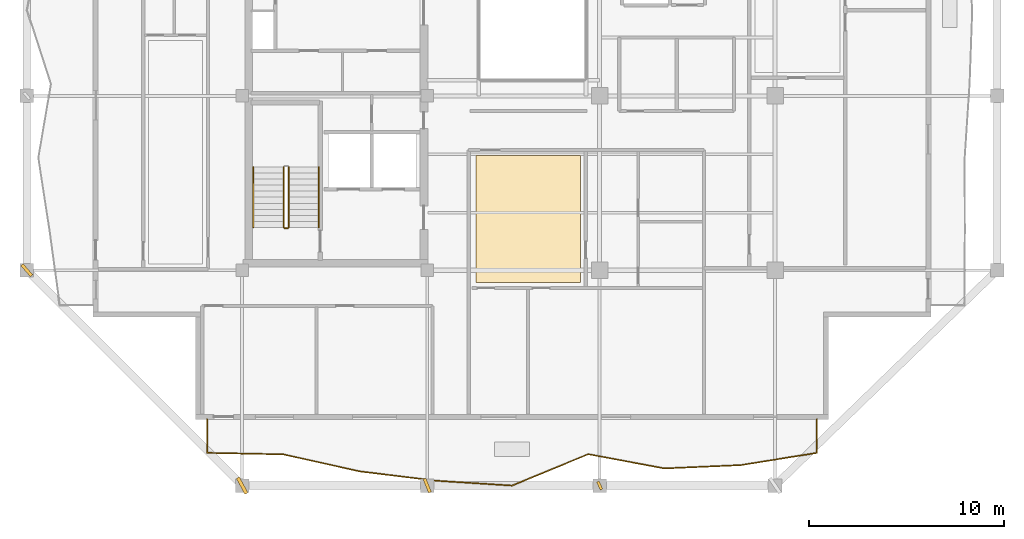
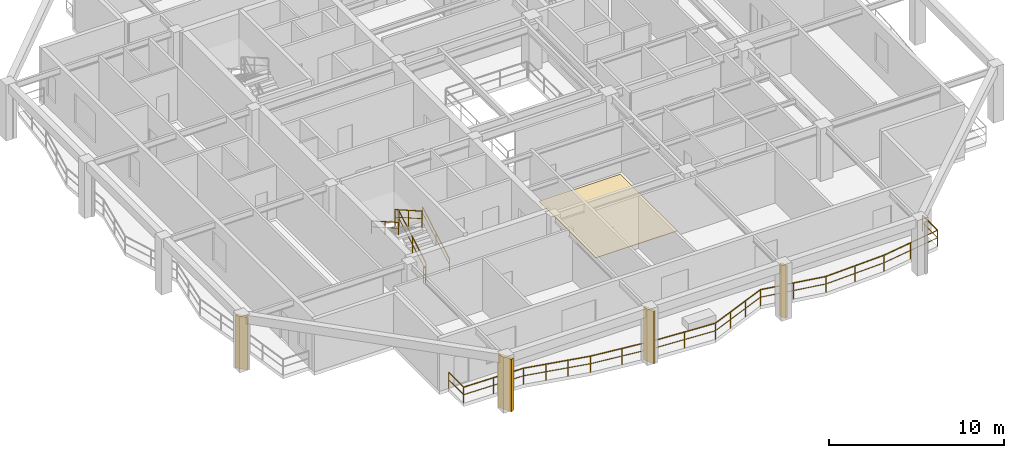
# One storey, part 7 of 11: 6 railings, 4 shading devices, 1 covering.
"""IFC4 building model written with IfcOpenShell, lengths in metres."""

from ifc_helpers import new_model, si_unit, direction, frame, origin, origin_2d, place, context, subcontext, project, spatial, polyline, rectangle, outline, extrude, material, layer, layer_set, type_object, element, save


model = new_model("IFC4")

# Units and contexts
model_context = context("Model", 3, precision=1e-05, world=origin(), true_north=direction((0.0, 1.0)))
body_context = subcontext(model_context, "Body", "Model", "MODEL_VIEW")
ifc_project = project(units=[si_unit("LENGTHUNIT", "METRE"), si_unit("AREAUNIT", "SQUARE_METRE"), si_unit("VOLUMEUNIT", "CUBIC_METRE"), si_unit("PLANEANGLEUNIT", "RADIAN"), si_unit("MASSUNIT", "GRAM", prefix="KILO")], contexts=[model_context])

# Site, building, storey
site_placement = place(None, origin())
site = spatial("IfcSite", under=ifc_project, at=site_placement, CompositionType="ELEMENT")
building_placement = place(site_placement, origin())
building = spatial("IfcBuilding", under=site, at=building_placement, Name="Kundavana Baori Tower", CompositionType="ELEMENT")
storey_placement = place(building_placement, frame((0.0, 0.0, 249.199951171875)))
storey = spatial("IfcBuildingStorey", under=building, at=storey_placement, Name="L61", CompositionType="ELEMENT", Elevation=249.199951171875)

# Covering
ifc_material_1 = material(Name="Honed Kota Stone and Terrazzo Flooring", Category="masonry")
ifc_layer = layer(ifc_material_1, 0.0400390625, Name="COV-FLR-TERR-40")
ifc_layer_set = layer_set([ifc_layer], Name="Honed Kota Stone and Terrazzo Flooring")
covering_type = type_object("IfcCoveringType", Name="COV-FLR-TERR-40", PredefinedType="FLOORING", material=ifc_layer_set)
covering_placement = place(storey_placement, origin())
element("IfcCovering", 1, at=covering_placement, inside=storey, type_object=covering_type, Name="L61 Room Finished Stone Flooring 3", PredefinedType="FLOORING", context=body_context, shape_type="SweptSolid", body=[
    extrude(outline(polyline([(27.43994140625, 14.6201171875), (32.81005859375, 14.6201171875), (32.81005859375, 21.139892578125), (27.43994140625, 21.139892578125), (27.43994140625, 14.6201171875)])), origin(), (0.0, 0.0, 1.0), 0.0400390625),
])

# Railings
ifc_material_2 = material(Name="Architectural Patinated Bronze Metalwork")
railing_type_1 = type_object("IfcRailingType", Name="RL-BAL-1150", PredefinedType="BALUSTRADE", material=ifc_material_2)
railing_1_placement = place(storey_placement, frame((44.949951171875, 7.60009765625, 0.0)))
element("IfcRailing", 2, at=railing_1_placement, inside=storey, type_object=railing_type_1, Name="L61 Loggia Balcony Balustrade S", PredefinedType="BALUSTRADE", context=body_context, shape_type="SweptSolid", body=[
    extrude(rectangle(XDim=0.048095703125, YDim=0.048095703125, at=origin_2d()), frame((0.0, 0.0, 1.1259765625), z_axis=(0.0, -1.0, 0.0), x_axis=(1.0, 0.0, 0.0)), (0.0, 0.0, 1.0), 1.72021484375),
    extrude(rectangle(XDim=0.03125, YDim=0.03125, at=origin_2d()), frame((0.0, 0.0, 0.597900390625), z_axis=(0.0, -1.0, 0.0), x_axis=(1.0, 0.0, 0.0)), (0.0, 0.0, 1.0), 1.72021484375),
    extrude(rectangle(XDim=0.048095703125, YDim=0.048095703125, at=origin_2d()), frame((0.0, -1.72021484375, 1.1259765625), z_axis=(-0.987283267843, -0.158970906262, 0.0), x_axis=(0.158970906262, -0.987283267843, 0.0)), (0.0, 0.0, 1.0), 3.962158203125),
    extrude(rectangle(XDim=0.03125, YDim=0.03125, at=origin_2d()), frame((0.0, -1.72021484375, 0.597900390625), z_axis=(-0.987283267843, -0.158970906262, 0.0), x_axis=(0.158970906262, -0.987283267843, 0.0)), (0.0, 0.0, 1.0), 3.962158203125),
    extrude(rectangle(XDim=0.048095703125, YDim=0.048095703125, at=origin_2d()), frame((-3.911865234375, -2.35009765625, 1.1259765625), z_axis=(-0.999058509044, -0.043383124675, 0.0), x_axis=(0.043383124675, -0.999058509044, 0.0)), (0.0, 0.0, 1.0), 3.916748046875),
    extrude(rectangle(XDim=0.03125, YDim=0.03125, at=origin_2d()), frame((-3.911865234375, -2.35009765625, 0.597900390625), z_axis=(-0.999058509044, -0.043383124675, 0.0), x_axis=(0.043383124675, -0.999058509044, 0.0)), (0.0, 0.0, 1.0), 3.916748046875),
    extrude(rectangle(XDim=0.048095703125, YDim=0.048095703125, at=origin_2d()), frame((-7.824951171875, -2.52001953125, 1.1259765625), z_axis=(-0.982988660782, 0.183666253768, 0.0), x_axis=(-0.183666253768, -0.982988660782, 0.0)), (0.0, 0.0, 1.0), 3.979736328125),
    extrude(rectangle(XDim=0.03125, YDim=0.03125, at=origin_2d()), frame((-7.824951171875, -2.52001953125, 0.597900390625), z_axis=(-0.982988660782, 0.183666253768, 0.0), x_axis=(-0.183666253768, -0.982988660782, 0.0)), (0.0, 0.0, 1.0), 3.979736328125),
    extrude(rectangle(XDim=0.048095703125, YDim=0.048095703125, at=origin_2d()), frame((-11.737060546875, -1.7890625, 1.1259765625), z_axis=(-0.92468526757, -0.380732394128, 0.0), x_axis=(0.380732394128, -0.92468526757, 0.0)), (0.0, 0.0, 1.0), 4.2314453125),
    extrude(rectangle(XDim=0.03125, YDim=0.03125, at=origin_2d()), frame((-11.737060546875, -1.7890625, 0.597900390625), z_axis=(-0.92468526757, -0.380732394128, 0.0), x_axis=(0.380732394128, -0.92468526757, 0.0)), (0.0, 0.0, 1.0), 4.2314453125),
    extrude(rectangle(XDim=0.048095703125, YDim=0.048095703125, at=origin_2d()), frame((-15.64990234375, -3.400146484375, 1.1259765625), z_axis=(-0.99794847737, 0.064022156436, 0.0), x_axis=(-0.064022156436, -0.99794847737, 0.0)), (0.0, 0.0, 1.0), 3.920166015625),
    extrude(rectangle(XDim=0.03125, YDim=0.03125, at=origin_2d()), frame((-15.64990234375, -3.400146484375, 0.597900390625), z_axis=(-0.99794847737, 0.064022156436, 0.0), x_axis=(-0.064022156436, -0.99794847737, 0.0)), (0.0, 0.0, 1.0), 3.920166015625),
    extrude(rectangle(XDim=0.048095703125, YDim=0.048095703125, at=origin_2d()), frame((-19.56201171875, -3.149169921875, 1.1259765625), z_axis=(-0.99259004777, 0.121511304282, 0.0), x_axis=(-0.121511304282, -0.99259004777, 0.0)), (0.0, 0.0, 1.0), 3.942138671875),
    extrude(rectangle(XDim=0.03125, YDim=0.03125, at=origin_2d()), frame((-19.56201171875, -3.149169921875, 0.597900390625), z_axis=(-0.99259004777, 0.121511304282, 0.0), x_axis=(-0.121511304282, -0.99259004777, 0.0)), (0.0, 0.0, 1.0), 3.942138671875),
    extrude(rectangle(XDim=0.048095703125, YDim=0.048095703125, at=origin_2d()), frame((-23.474853515625, -2.670166015625, 1.1259765625), z_axis=(-0.976055056129, 0.217523624937, 0.0), x_axis=(-0.217523624937, -0.976055056129, 0.0)), (0.0, 0.0, 1.0), 4.009033203125),
    extrude(rectangle(XDim=0.03125, YDim=0.03125, at=origin_2d()), frame((-23.474853515625, -2.670166015625, 0.597900390625), z_axis=(-0.976055056129, 0.217523624937, 0.0), x_axis=(-0.217523624937, -0.976055056129, 0.0)), (0.0, 0.0, 1.0), 4.009033203125),
    extrude(rectangle(XDim=0.048095703125, YDim=0.048095703125, at=origin_2d()), frame((-27.387939453125, -1.798095703125, 1.1259765625), z_axis=(-0.999801901844, 0.019903694876, 0.0), x_axis=(-0.019903694876, -0.999801901844, 0.0)), (0.0, 0.0, 1.0), 3.912841796875),
    extrude(rectangle(XDim=0.03125, YDim=0.03125, at=origin_2d()), frame((-27.387939453125, -1.798095703125, 0.597900390625), z_axis=(-0.999801901844, 0.019903694876, 0.0), x_axis=(-0.019903694876, -0.999801901844, 0.0)), (0.0, 0.0, 1.0), 3.912841796875),
    extrude(rectangle(XDim=0.048095703125, YDim=0.048095703125, at=origin_2d()), frame((-31.300048828125, -1.72021484375, 1.1259765625), z_axis=(0.0, 1.0, 0.0), x_axis=(-1.0, 0.0, 0.0)), (0.0, 0.0, 1.0), 1.72021484375),
    extrude(rectangle(XDim=0.03125, YDim=0.03125, at=origin_2d()), frame((-31.300048828125, -1.72021484375, 0.597900390625), z_axis=(0.0, 1.0, 0.0), x_axis=(-1.0, 0.0, 0.0)), (0.0, 0.0, 1.0), 1.72021484375),
    extrude(rectangle(XDim=0.0419921875, YDim=0.0419921875, at=origin_2d()), origin(), (0.0, 0.0, 1.0), 1.101806640625),
    extrude(rectangle(XDim=0.0419921875, YDim=0.0419921875, at=origin_2d()), frame((0.0, -1.72021484375, 0.0)), (0.0, 0.0, 1.0), 1.101806640625),
    extrude(rectangle(XDim=0.0419921875, YDim=0.0419921875, at=origin_2d()), frame((-1.9560546875, -2.03515625, 0.0)), (0.0, 0.0, 1.0), 1.101806640625),
    extrude(rectangle(XDim=0.0419921875, YDim=0.0419921875, at=origin_2d()), frame((-3.911865234375, -2.35009765625, 0.0)), (0.0, 0.0, 1.0), 1.101806640625),
    extrude(rectangle(XDim=0.0419921875, YDim=0.0419921875, at=origin_2d()), frame((-5.868408203125, -2.43505859375, 0.0)), (0.0, 0.0, 1.0), 1.101806640625),
    extrude(rectangle(XDim=0.0419921875, YDim=0.0419921875, at=origin_2d()), frame((-7.824951171875, -2.52001953125, 0.0)), (0.0, 0.0, 1.0), 1.101806640625),
    extrude(rectangle(XDim=0.0419921875, YDim=0.0419921875, at=origin_2d()), frame((-9.781005859375, -2.154541015625, 0.0)), (0.0, 0.0, 1.0), 1.101806640625),
    extrude(rectangle(XDim=0.0419921875, YDim=0.0419921875, at=origin_2d()), frame((-11.737060546875, -1.7890625, 0.0)), (0.0, 0.0, 1.0), 1.101806640625),
    extrude(rectangle(XDim=0.0419921875, YDim=0.0419921875, at=origin_2d()), frame((-13.041259765625, -2.326171875, 0.0)), (0.0, 0.0, 1.0), 1.101806640625),
    extrude(rectangle(XDim=0.0419921875, YDim=0.0419921875, at=origin_2d()), frame((-14.345703125, -2.863037109375, 0.0)), (0.0, 0.0, 1.0), 1.101806640625),
    extrude(rectangle(XDim=0.0419921875, YDim=0.0419921875, at=origin_2d()), frame((-15.64990234375, -3.400146484375, 0.0)), (0.0, 0.0, 1.0), 1.101806640625),
    extrude(rectangle(XDim=0.0419921875, YDim=0.0419921875, at=origin_2d()), frame((-17.60595703125, -3.274658203125, 0.0)), (0.0, 0.0, 1.0), 1.101806640625),
    extrude(rectangle(XDim=0.0419921875, YDim=0.0419921875, at=origin_2d()), frame((-19.56201171875, -3.149169921875, 0.0)), (0.0, 0.0, 1.0), 1.101806640625),
    extrude(rectangle(XDim=0.0419921875, YDim=0.0419921875, at=origin_2d()), frame((-21.5185546875, -2.90966796875, 0.0)), (0.0, 0.0, 1.0), 1.101806640625),
    extrude(rectangle(XDim=0.0419921875, YDim=0.0419921875, at=origin_2d()), frame((-23.474853515625, -2.670166015625, 0.0)), (0.0, 0.0, 1.0), 1.101806640625),
    extrude(rectangle(XDim=0.0419921875, YDim=0.0419921875, at=origin_2d()), frame((-24.779296875, -2.37939453125, 0.0)), (0.0, 0.0, 1.0), 1.101806640625),
    extrude(rectangle(XDim=0.0419921875, YDim=0.0419921875, at=origin_2d()), frame((-26.08349609375, -2.0888671875, 0.0)), (0.0, 0.0, 1.0), 1.101806640625),
    extrude(rectangle(XDim=0.0419921875, YDim=0.0419921875, at=origin_2d()), frame((-27.387939453125, -1.798095703125, 0.0)), (0.0, 0.0, 1.0), 1.101806640625),
    extrude(rectangle(XDim=0.0419921875, YDim=0.0419921875, at=origin_2d()), frame((-29.343994140625, -1.75927734375, 0.0)), (0.0, 0.0, 1.0), 1.101806640625),
    extrude(rectangle(XDim=0.0419921875, YDim=0.0419921875, at=origin_2d()), frame((-31.300048828125, -1.72021484375, 0.0)), (0.0, 0.0, 1.0), 1.101806640625),
    extrude(rectangle(XDim=0.0419921875, YDim=0.0419921875, at=origin_2d()), frame((-31.300048828125, 0.0, 0.0)), (0.0, 0.0, 1.0), 1.101806640625),
])
ifc_material_3 = material(Name="Architectural Patinated Bronze Metalwork")
railing_type_2 = type_object("IfcRailingType", Name="RL-GRD-1150", PredefinedType="GUARDRAIL", material=ifc_material_3)
railing_2_placement = place(storey_placement, frame((17.840087890625, 17.449951171875, 0.17724609375)))
element("IfcRailing", 3, at=railing_2_placement, inside=storey, type_object=railing_type_2, Name="L61 ST1 stair guard 1", PredefinedType="GUARDRAIL", context=body_context, shape_type="SweptSolid", body=[
    extrude(rectangle(XDim=0.048095703125, YDim=0.048095703125, at=origin_2d()), frame((0.0, 0.0, 1.1259765625), z_axis=(0.0, 0.868095856688, 0.496396599103), x_axis=(-1.0, 0.0, 0.0)), (0.0, 0.0, 1.0), 3.571044921875),
    extrude(rectangle(XDim=0.03125, YDim=0.03125, at=origin_2d()), frame((0.0, 0.0, 0.597900390625), z_axis=(0.0, 0.868095856688, 0.496396599103), x_axis=(-1.0, 0.0, 0.0)), (0.0, 0.0, 1.0), 3.571044921875),
    extrude(rectangle(XDim=0.0419921875, YDim=0.0419921875, at=origin_2d()), origin(), (0.0, 0.0, 1.0), 1.101806640625),
    extrude(rectangle(XDim=0.0419921875, YDim=0.0419921875, at=origin_2d()), frame((0.0, 1.550048828125, 0.88623046875)), (0.0, 0.0, 1.0), 1.101806640625),
    extrude(rectangle(XDim=0.0419921875, YDim=0.0419921875, at=origin_2d()), frame((0.0, 3.10009765625, 1.772705078125)), (0.0, 0.0, 1.0), 1.101806640625),
])
railing_3_placement = place(storey_placement, frame((17.580078125, 20.550048828125, 2.12744140625)))
element("IfcRailing", 4, at=railing_3_placement, inside=storey, type_object=railing_type_2, Name="L61 ST1 stair guard 3", PredefinedType="GUARDRAIL", context=body_context, shape_type="SweptSolid", body=[
    extrude(rectangle(XDim=0.048095703125, YDim=0.048095703125, at=origin_2d()), frame((0.0, 0.0, 1.1259765625), z_axis=(0.0, -0.868095856688, 0.496396599103), x_axis=(1.0, 0.0, 0.0)), (0.0, 0.0, 1.0), 3.571044921875),
    extrude(rectangle(XDim=0.03125, YDim=0.03125, at=origin_2d()), frame((0.0, 0.0, 0.597900390625), z_axis=(0.0, -0.868095856688, 0.496396599103), x_axis=(1.0, 0.0, 0.0)), (0.0, 0.0, 1.0), 3.571044921875),
    extrude(rectangle(XDim=0.0419921875, YDim=0.0419921875, at=origin_2d()), origin(), (0.0, 0.0, 1.0), 1.101806640625),
    extrude(rectangle(XDim=0.0419921875, YDim=0.0419921875, at=origin_2d()), frame((0.0, -1.550048828125, 0.88623046875)), (0.0, 0.0, 1.0), 1.101806640625),
    extrude(rectangle(XDim=0.0419921875, YDim=0.0419921875, at=origin_2d()), frame((0.0, -3.10009765625, 1.772705078125)), (0.0, 0.0, 1.0), 1.101806640625),
])
railing_4_placement = place(storey_placement, frame((17.7900390625, 17.39990234375, 0.0)))
element("IfcRailing", 5, at=railing_4_placement, inside=storey, type_object=railing_type_2, Name="L61 ST1 stair guard 4", PredefinedType="GUARDRAIL", context=body_context, shape_type="SweptSolid", body=[
    extrude(rectangle(XDim=0.048095703125, YDim=0.048095703125, at=origin_2d()), frame((0.0, 0.0, 1.1259765625), z_axis=(-1.0, 0.0, 0.0), x_axis=(0.0, -1.0, 0.0)), (0.0, 0.0, 1.0), 0.16015625),
    extrude(rectangle(XDim=0.03125, YDim=0.03125, at=origin_2d()), frame((0.0, 0.0, 0.597900390625), z_axis=(-1.0, 0.0, 0.0), x_axis=(0.0, -1.0, 0.0)), (0.0, 0.0, 1.0), 0.16015625),
    extrude(rectangle(XDim=0.0419921875, YDim=0.0419921875, at=origin_2d()), origin(), (0.0, 0.0, 1.0), 1.101806640625),
    extrude(rectangle(XDim=0.0419921875, YDim=0.0419921875, at=origin_2d()), frame((-0.16015625, 0.0, 0.0)), (0.0, 0.0, 1.0), 1.101806640625),
])
ifc_material_4 = material(Name="Architectural Patinated Bronze Metalwork")
railing_type_3 = type_object("IfcRailingType", Name="RL-HND-920", PredefinedType="HANDRAIL", material=ifc_material_4)
railing_5_placement = place(storey_placement, frame((19.389892578125, 17.449951171875, 0.17724609375)))
element("IfcRailing", 6, at=railing_5_placement, inside=storey, type_object=railing_type_3, Name="L61 ST1 stair handrail 1", PredefinedType="HANDRAIL", context=body_context, shape_type="SweptSolid", body=[
    extrude(rectangle(XDim=0.048095703125, YDim=0.048095703125, at=origin_2d()), frame((0.0, 0.0, 0.8759765625), z_axis=(0.0, 0.868095856688, 0.496396599103), x_axis=(-1.0, 0.0, 0.0)), (0.0, 0.0, 1.0), 3.571044921875),
    extrude(rectangle(XDim=0.03125, YDim=0.03125, at=origin_2d()), frame((0.0, 0.0, 0.468017578125), z_axis=(0.0, 0.868095856688, 0.496396599103), x_axis=(-1.0, 0.0, 0.0)), (0.0, 0.0, 1.0), 3.571044921875),
    extrude(rectangle(XDim=0.0419921875, YDim=0.0419921875, at=origin_2d()), origin(), (0.0, 0.0, 1.0), 0.851806640625),
    extrude(rectangle(XDim=0.0419921875, YDim=0.0419921875, at=origin_2d()), frame((0.0, 1.550048828125, 0.88623046875)), (0.0, 0.0, 1.0), 0.851806640625),
    extrude(rectangle(XDim=0.0419921875, YDim=0.0419921875, at=origin_2d()), frame((0.0, 3.10009765625, 1.772705078125)), (0.0, 0.0, 1.0), 0.851806640625),
])
railing_6_placement = place(storey_placement, frame((16.030029296875, 20.550048828125, 2.12744140625)))
element("IfcRailing", 7, at=railing_6_placement, inside=storey, type_object=railing_type_3, Name="L61 ST1 stair handrail 2", PredefinedType="HANDRAIL", context=body_context, shape_type="SweptSolid", body=[
    extrude(rectangle(XDim=0.048095703125, YDim=0.048095703125, at=origin_2d()), frame((0.0, 0.0, 0.8759765625), z_axis=(0.0, -0.868095856688, 0.496396599103), x_axis=(1.0, 0.0, 0.0)), (0.0, 0.0, 1.0), 3.571044921875),
    extrude(rectangle(XDim=0.03125, YDim=0.03125, at=origin_2d()), frame((0.0, 0.0, 0.468017578125), z_axis=(0.0, -0.868095856688, 0.496396599103), x_axis=(1.0, 0.0, 0.0)), (0.0, 0.0, 1.0), 3.571044921875),
    extrude(rectangle(XDim=0.0419921875, YDim=0.0419921875, at=origin_2d()), origin(), (0.0, 0.0, 1.0), 0.851806640625),
    extrude(rectangle(XDim=0.0419921875, YDim=0.0419921875, at=origin_2d()), frame((0.0, -1.550048828125, 0.88623046875)), (0.0, 0.0, 1.0), 0.851806640625),
    extrude(rectangle(XDim=0.0419921875, YDim=0.0419921875, at=origin_2d()), frame((0.0, -3.10009765625, 1.772705078125)), (0.0, 0.0, 1.0), 0.851806640625),
])

# Shading devices
ifc_material_5 = material(Name="Red-Buff Dholpur Sandstone Cladding on Concrete C40/50", Category="masonry")
shading_device_type_1 = type_object("IfcShadingDeviceType", Name="SHD-FIN-750", PredefinedType="JALOUSIE", material=ifc_material_5)
for number, where, z_axis, x_axis, name in (
    (8, (24.949951171875, 4.199951171875, 0.0), (0.0, 0.0, 1.0), (0.92573863709, 0.378163953596, 0.0), "L61 Sweeping Dholpur Sandstone Facade Fin 2"),
    (9, (4.39990234375, 15.25, 0.0), (0.0, 0.0, 1.0), (0.750341865315, 0.661049986881, 0.0), "L61 Sweeping Dholpur Sandstone Facade Fin 5"),
):
    element("IfcShadingDevice", number, at=place(storey_placement, frame(where, z_axis=z_axis, x_axis=x_axis)), inside=storey, type_object=shading_device_type_1, Name=name, PredefinedType="JALOUSIE", context=body_context, shape_type="SweptSolid", body=[
        extrude(rectangle(XDim=0.159912109375, YDim=0.75, at=origin_2d()), origin(), (0.0, 0.0, 1.0), 3.659912109375),
    ])
ifc_material_6 = material(Name="Red-Buff Dholpur Sandstone Cladding on Concrete C40/50", Category="masonry")
shading_device_type_2 = type_object("IfcShadingDeviceType", Name="SHD-FIN-920", PredefinedType="JALOUSIE", material=ifc_material_6)
shading_device_1_placement = place(storey_placement, frame((15.449951171875, 4.199951171875, 0.0), z_axis=(0.0, 0.0, 1.0), x_axis=(0.878900379191, 0.477005370471, 0.0)))
element("IfcShadingDevice", 10, at=shading_device_1_placement, inside=storey, type_object=shading_device_type_2, Name="L61 Sweeping Dholpur Sandstone Facade Fin 1", PredefinedType="JALOUSIE", context=body_context, shape_type="SweptSolid", body=[
    extrude(rectangle(XDim=0.179931640625, YDim=0.919921875, at=origin_2d()), origin(), (0.0, 0.0, 1.0), 3.659912109375),
])
ifc_material_7 = material(Name="Architectural Patinated Bronze Metalwork")
shading_device_type_3 = type_object("IfcShadingDeviceType", Name="SHD-LOUV-450", PredefinedType="SHUTTER", material=ifc_material_7)
shading_device_2_placement = place(storey_placement, frame((33.800048828125, 4.199951171875, 0.0), z_axis=(0.0, 0.0, 1.0), x_axis=(0.906676245901, 0.421827198174, 0.0)))
element("IfcShadingDevice", 11, at=shading_device_2_placement, inside=storey, type_object=shading_device_type_3, Name="L61 Sweeping Dholpur Sandstone Facade Fin 3", PredefinedType="SHUTTER", context=body_context, shape_type="SweptSolid", body=[
    extrude(rectangle(XDim=0.139892578125, YDim=0.449951171875, at=origin_2d()), origin(), (0.0, 0.0, 1.0), 3.659912109375),
])

save(model, "model.ifc")
